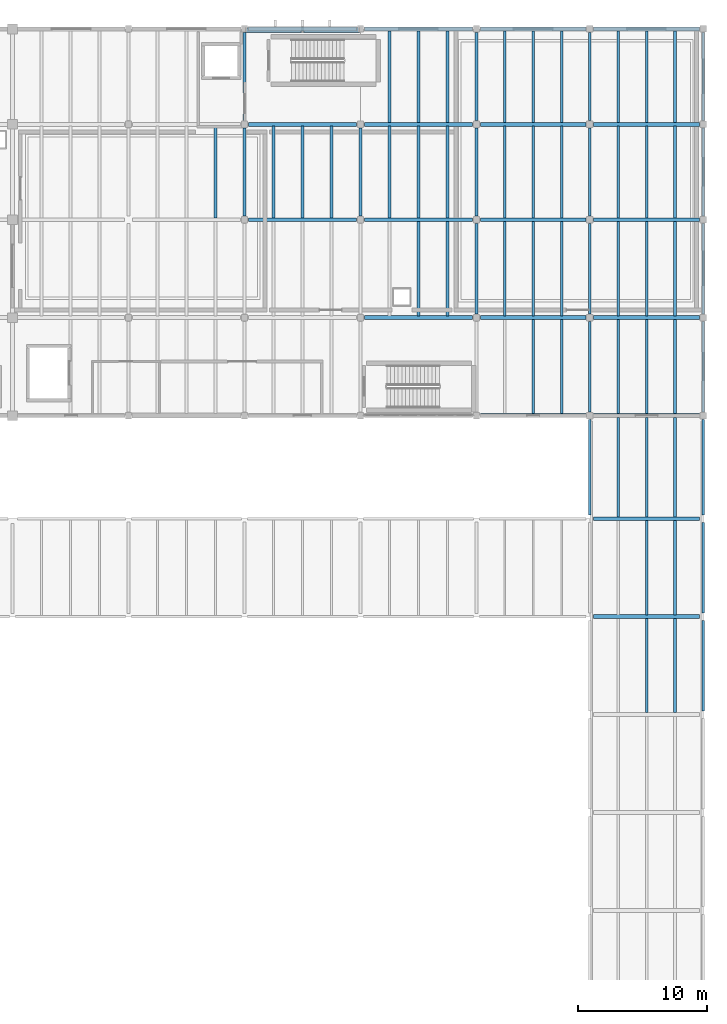
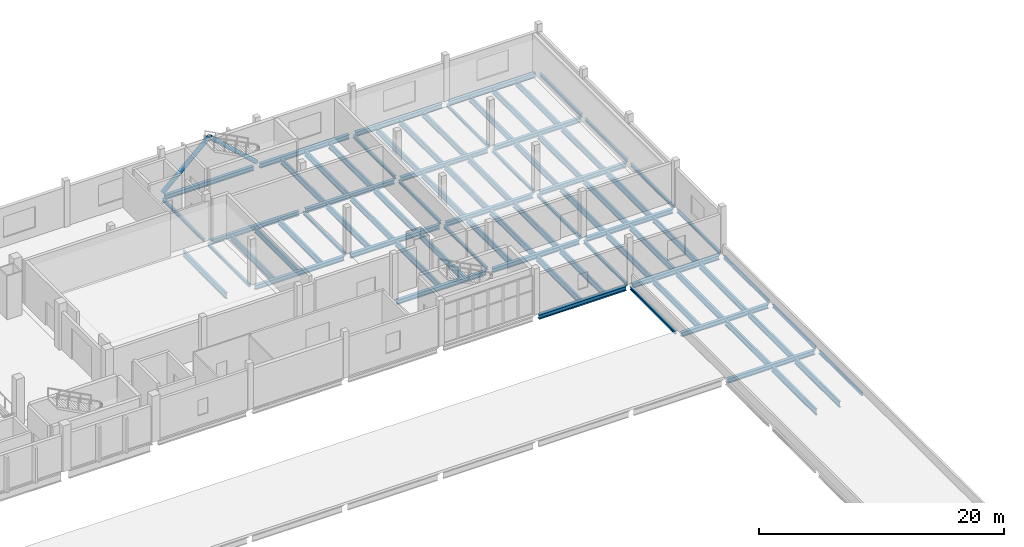
# One storey, part 45 of 74: 79 beams, 2 members.
"""IFC4 building model written with IfcOpenShell, lengths in metres."""

from ifc_helpers import new_model, si_unit, direction, frame, origin, origin_2d, place, context, subcontext, project, spatial, hollow_circle, i_section, extrude, material, material_profile, profile_set, type_object, element, save


model = new_model("IFC4")

# Units and contexts
model_context = context("Model", 3, precision=1e-05, world=origin(), true_north=direction((0.0, 1.0)))
body_context = subcontext(model_context, "Body", "Model", "MODEL_VIEW")
ifc_project = project(units=[si_unit("LENGTHUNIT", "METRE"), si_unit("AREAUNIT", "SQUARE_METRE"), si_unit("VOLUMEUNIT", "CUBIC_METRE"), si_unit("PLANEANGLEUNIT", "RADIAN"), si_unit("MASSUNIT", "GRAM", prefix="KILO")], contexts=[model_context])

# Site, building, storey
site_placement = place(None, origin())
site = spatial("IfcSite", under=ifc_project, at=site_placement, CompositionType="ELEMENT")
building_placement = place(site_placement, origin())
building = spatial("IfcBuilding", under=site, at=building_placement, Name="Shengluoqiao Park Theatre", CompositionType="ELEMENT")
storey_placement = place(building_placement, frame((0.0, 0.0, 14.60009765625)))
storey = spatial("IfcBuildingStorey", under=building, at=storey_placement, Name="L03", CompositionType="ELEMENT", Elevation=14.60009765625)

# Beams
ifc_material_1 = material(Name="Steel Q355", Category="steel")
ifc_material_profile_1 = material_profile(ifc_material_1, i_section(OverallWidth=0.199951171875, OverallDepth=0.2939453125, WebThickness=0.008056640625, FlangeThickness=0.011962890625, FilletRadius=0.01611328125, at=origin_2d()), Name="HM 294x200x8x12")
ifc_profile_set_1 = profile_set([ifc_material_profile_1], Name="Steel Q355")
beam_type_1 = type_object("IfcBeamType", Name="STR-BM-G-HM294", PredefinedType="BEAM", material=ifc_profile_set_1)
for number, where, z_axis, x_axis, name in (
    (1, (130.39990234375, 99.493896484375, -0.38720703125), (0.0, 1.0, 0.0), (-1.0, 0.0, 0.0), "L03 Transverse Girder 01393"),
    (2, (130.39990234375, 106.89404296875, -0.38720703125), (0.0, 1.0, 0.0), (-1.0, 0.0, 0.0), "L03 Transverse Girder 01394"),
    (3, (139.39990234375, 99.493896484375, -0.38720703125), (0.0, 1.0, 0.0), (-1.0, 0.0, 0.0), "L03 Transverse Girder 01397"),
):
    element("IfcBeam", number, at=place(storey_placement, frame(where, z_axis=z_axis, x_axis=x_axis)), inside=storey, type_object=beam_type_1, Name=name, PredefinedType="BEAM", context=body_context, shape_type="SweptSolid", body=[
        extrude(i_section(OverallWidth=0.199951171875, OverallDepth=0.2939453125, WebThickness=0.008056640625, FlangeThickness=0.011962890625, FilletRadius=0.01611328125, at=origin_2d()), origin(), (0.0, 0.0, 1.0), 6.81201171875),
    ])
beam_1_placement = place(storey_placement, frame((148.39990234375, 91.89404296875, -0.38720703125), z_axis=(0.0, 1.0, 0.0), x_axis=(-1.0, 0.0, 0.0)))
element("IfcBeam", 4, at=beam_1_placement, inside=storey, type_object=beam_type_1, Name="L03 Transverse Girder 01445", PredefinedType="BEAM", context=body_context, shape_type="SweptSolid", body=[
    extrude(i_section(OverallWidth=0.199951171875, OverallDepth=0.2939453125, WebThickness=0.008056640625, FlangeThickness=0.011962890625, FilletRadius=0.01611328125, at=origin_2d()), origin(), (0.0, 0.0, 1.0), 7.011962890625),
])
for number, where, z_axis, x_axis, name in (
    (5, (148.39990234375, 99.493896484375, -0.38720703125), (0.0, 1.0, 0.0), (-1.0, 0.0, 0.0), "L03 Transverse Girder 01446"),
    (6, (148.39990234375, 106.89404296875, -0.38720703125), (0.0, 1.0, 0.0), (-1.0, 0.0, 0.0), "L03 Transverse Girder 01447"),
):
    element("IfcBeam", number, at=place(storey_placement, frame(where, z_axis=z_axis, x_axis=x_axis)), inside=storey, type_object=beam_type_1, Name=name, PredefinedType="BEAM", context=body_context, shape_type="SweptSolid", body=[
        extrude(i_section(OverallWidth=0.199951171875, OverallDepth=0.2939453125, WebThickness=0.008056640625, FlangeThickness=0.011962890625, FilletRadius=0.01611328125, at=origin_2d()), origin(), (0.0, 0.0, 1.0), 6.81201171875),
    ])
for number, where, z_axis, x_axis, name in (
    (7, (157.199951171875, 84.2939453125, -0.397216796875), (0.0, 1.0, 0.0), (-1.0, 0.0, 0.0), "L03 Transverse Girder 01448"),
    (8, (157.199951171875, 91.89404296875, -0.38720703125), (0.0, 1.0, 0.0), (-1.0, 0.0, 0.0), "L03 Transverse Girder 01449"),
):
    element("IfcBeam", number, at=place(storey_placement, frame(where, z_axis=z_axis, x_axis=x_axis)), inside=storey, type_object=beam_type_1, Name=name, PredefinedType="BEAM", context=body_context, shape_type="SweptSolid", body=[
        extrude(i_section(OverallWidth=0.199951171875, OverallDepth=0.2939453125, WebThickness=0.008056640625, FlangeThickness=0.011962890625, FilletRadius=0.01611328125, at=origin_2d()), origin(), (0.0, 0.0, 1.0), 7.011962890625),
    ])
for number, where, z_axis, x_axis, name in (
    (9, (157.199951171875, 99.493896484375, -0.38720703125), (0.0, 1.0, 0.0), (-1.0, 0.0, 0.0), "L03 Transverse Girder 01450"),
    (10, (157.199951171875, 106.89404296875, -0.38720703125), (0.0, 1.0, 0.0), (-1.0, 0.0, 0.0), "L03 Transverse Girder 01451"),
):
    element("IfcBeam", number, at=place(storey_placement, frame(where, z_axis=z_axis, x_axis=x_axis)), inside=storey, type_object=beam_type_1, Name=name, PredefinedType="BEAM", context=body_context, shape_type="SweptSolid", body=[
        extrude(i_section(OverallWidth=0.199951171875, OverallDepth=0.2939453125, WebThickness=0.008056640625, FlangeThickness=0.011962890625, FilletRadius=0.01611328125, at=origin_2d()), origin(), (0.0, 0.0, 1.0), 6.81201171875),
    ])
for number, where, z_axis, x_axis, name in (
    (11, (166.0, 84.2939453125, -0.397216796875), (0.0, 1.0, 0.0), (-1.0, 0.0, 0.0), "L03 Transverse Girder 01452"),
    (12, (166.0, 91.89404296875, -0.38720703125), (0.0, 1.0, 0.0), (-1.0, 0.0, 0.0), "L03 Transverse Girder 01453"),
):
    element("IfcBeam", number, at=place(storey_placement, frame(where, z_axis=z_axis, x_axis=x_axis)), inside=storey, type_object=beam_type_1, Name=name, PredefinedType="BEAM", context=body_context, shape_type="SweptSolid", body=[
        extrude(i_section(OverallWidth=0.199951171875, OverallDepth=0.2939453125, WebThickness=0.008056640625, FlangeThickness=0.011962890625, FilletRadius=0.01611328125, at=origin_2d()), origin(), (0.0, 0.0, 1.0), 7.011962890625),
    ])
for number, where, z_axis, x_axis, name in (
    (13, (166.0, 99.493896484375, -0.38720703125), (0.0, 1.0, 0.0), (-1.0, 0.0, 0.0), "L03 Transverse Girder 01454"),
    (14, (166.0, 106.89404296875, -0.38720703125), (0.0, 1.0, 0.0), (-1.0, 0.0, 0.0), "L03 Transverse Girder 01455"),
):
    element("IfcBeam", number, at=place(storey_placement, frame(where, z_axis=z_axis, x_axis=x_axis)), inside=storey, type_object=beam_type_1, Name=name, PredefinedType="BEAM", context=body_context, shape_type="SweptSolid", body=[
        extrude(i_section(OverallWidth=0.199951171875, OverallDepth=0.2939453125, WebThickness=0.008056640625, FlangeThickness=0.011962890625, FilletRadius=0.01611328125, at=origin_2d()), origin(), (0.0, 0.0, 1.0), 6.81201171875),
    ])
beam_2_placement = place(storey_placement, frame((157.199951171875, 76.2939453125, -0.397216796875), z_axis=(0.0, 1.0, 0.0), x_axis=(-1.0, 0.0, 0.0)))
element("IfcBeam", 15, at=beam_2_placement, inside=storey, type_object=beam_type_1, Name="L03 Transverse Girder 01821", PredefinedType="BEAM", context=body_context, shape_type="SweptSolid", body=[
    extrude(i_section(OverallWidth=0.199951171875, OverallDepth=0.2939453125, WebThickness=0.008056640625, FlangeThickness=0.011962890625, FilletRadius=0.01611328125, at=origin_2d()), origin(), (0.0, 0.0, 1.0), 7.412109375),
])
for number, where, z_axis, x_axis, name in (
    (16, (166.0, 61.093994140625, -0.397216796875), (0.0, 1.0, 0.0), (-1.0, 0.0, 0.0), "L03 Transverse Girder 01827"),
    (17, (166.0, 68.694091796875, -0.397216796875), (0.0, 1.0, 0.0), (-1.0, 0.0, 0.0), "L03 Transverse Girder 01828"),
):
    element("IfcBeam", number, at=place(storey_placement, frame(where, z_axis=z_axis, x_axis=x_axis)), inside=storey, type_object=beam_type_1, Name=name, PredefinedType="BEAM", context=body_context, shape_type="SweptSolid", body=[
        extrude(i_section(OverallWidth=0.199951171875, OverallDepth=0.2939453125, WebThickness=0.008056640625, FlangeThickness=0.011962890625, FilletRadius=0.01611328125, at=origin_2d()), origin(), (0.0, 0.0, 1.0), 7.011962890625),
    ])
beam_3_placement = place(storey_placement, frame((166.0, 76.2939453125, -0.397216796875), z_axis=(0.0, 1.0, 0.0), x_axis=(-1.0, 0.0, 0.0)))
element("IfcBeam", 18, at=beam_3_placement, inside=storey, type_object=beam_type_1, Name="L03 Transverse Girder 01829", PredefinedType="BEAM", context=body_context, shape_type="SweptSolid", body=[
    extrude(i_section(OverallWidth=0.199951171875, OverallDepth=0.2939453125, WebThickness=0.008056640625, FlangeThickness=0.011962890625, FilletRadius=0.01611328125, at=origin_2d()), origin(), (0.0, 0.0, 1.0), 7.412109375),
])
ifc_material_profile_2 = material_profile(ifc_material_1, i_section(OverallWidth=0.300048828125, OverallDepth=0.43994140625, WebThickness=0.010986328125, FlangeThickness=0.01806640625, FilletRadius=0.02001953125, at=origin_2d()), Name="HM 440x300x11x18")
ifc_profile_set_2 = profile_set([ifc_material_profile_2], Name="Steel Q355")
beam_type_2 = type_object("IfcBeamType", Name="STR-BM-G-HM440", PredefinedType="BEAM", material=ifc_profile_set_2)
for number, where, z_axis, x_axis, name in (
    (19, (130.694091796875, 99.199951171875, -0.460205078125), (1.0, 0.0, 0.0), (0.0, 1.0, 0.0), "L03 Primary Girder 01380"),
    (20, (130.694091796875, 106.60009765625, -0.460205078125), (1.0, 0.0, 0.0), (0.0, 1.0, 0.0), "L03 Primary Girder 01383"),
    (21, (130.694091796875, 114.0, -0.460205078125), (1.0, 0.0, 0.0), (0.0, 1.0, 0.0), "L03 Primary Girder 01386"),
):
    element("IfcBeam", number, at=place(storey_placement, frame(where, z_axis=z_axis, x_axis=x_axis)), inside=storey, type_object=beam_type_2, Name=name, PredefinedType="BEAM", context=body_context, shape_type="SweptSolid", body=[
        extrude(i_section(OverallWidth=0.300048828125, OverallDepth=0.43994140625, WebThickness=0.010986328125, FlangeThickness=0.01806640625, FilletRadius=0.02001953125, at=origin_2d()), origin(), (0.0, 0.0, 1.0), 8.411865234375),
    ])
beam_4_placement = place(storey_placement, frame((148.694091796875, 84.0, -0.47021484375), z_axis=(1.0, 0.0, 0.0), x_axis=(0.0, 1.0, 0.0)))
element("IfcBeam", 22, at=beam_4_placement, inside=storey, type_object=beam_type_2, Name="L03 Primary Girder 01430", PredefinedType="BEAM", context=body_context, shape_type="SweptSolid", body=[
    extrude(i_section(OverallWidth=0.300048828125, OverallDepth=0.43994140625, WebThickness=0.010986328125, FlangeThickness=0.01806640625, FilletRadius=0.02001953125, at=origin_2d()), origin(), (0.0, 0.0, 1.0), 8.2119140625),
])
beam_5_placement = place(storey_placement, frame((157.493896484375, 84.0, -0.47021484375), z_axis=(1.0, 0.0, 0.0), x_axis=(0.0, 1.0, 0.0)))
element("IfcBeam", 23, at=beam_5_placement, inside=storey, type_object=beam_type_2, Name="L03 Primary Girder 01431", PredefinedType="BEAM", context=body_context, shape_type="SweptSolid", body=[
    extrude(i_section(OverallWidth=0.300048828125, OverallDepth=0.43994140625, WebThickness=0.010986328125, FlangeThickness=0.01806640625, FilletRadius=0.02001953125, at=origin_2d()), origin(), (0.0, 0.0, 1.0), 8.212158203125),
])
beam_6_placement = place(storey_placement, frame((139.694091796875, 91.60009765625, -0.460205078125), z_axis=(1.0, 0.0, 0.0), x_axis=(0.0, 1.0, 0.0)))
element("IfcBeam", 24, at=beam_6_placement, inside=storey, type_object=beam_type_2, Name="L03 Primary Girder 01432", PredefinedType="BEAM", context=body_context, shape_type="SweptSolid", body=[
    extrude(i_section(OverallWidth=0.300048828125, OverallDepth=0.43994140625, WebThickness=0.010986328125, FlangeThickness=0.01806640625, FilletRadius=0.02001953125, at=origin_2d()), origin(), (0.0, 0.0, 1.0), 8.411865234375),
])
beam_7_placement = place(storey_placement, frame((148.694091796875, 91.60009765625, -0.460205078125), z_axis=(1.0, 0.0, 0.0), x_axis=(0.0, 1.0, 0.0)))
element("IfcBeam", 25, at=beam_7_placement, inside=storey, type_object=beam_type_2, Name="L03 Primary Girder 01433", PredefinedType="BEAM", context=body_context, shape_type="SweptSolid", body=[
    extrude(i_section(OverallWidth=0.300048828125, OverallDepth=0.43994140625, WebThickness=0.010986328125, FlangeThickness=0.01806640625, FilletRadius=0.02001953125, at=origin_2d()), origin(), (0.0, 0.0, 1.0), 8.2119140625),
])
beam_8_placement = place(storey_placement, frame((157.493896484375, 91.60009765625, -0.460205078125), z_axis=(1.0, 0.0, 0.0), x_axis=(0.0, 1.0, 0.0)))
element("IfcBeam", 26, at=beam_8_placement, inside=storey, type_object=beam_type_2, Name="L03 Primary Girder 01434", PredefinedType="BEAM", context=body_context, shape_type="SweptSolid", body=[
    extrude(i_section(OverallWidth=0.300048828125, OverallDepth=0.43994140625, WebThickness=0.010986328125, FlangeThickness=0.01806640625, FilletRadius=0.02001953125, at=origin_2d()), origin(), (0.0, 0.0, 1.0), 8.212158203125),
])
beam_9_placement = place(storey_placement, frame((139.694091796875, 99.199951171875, -0.460205078125), z_axis=(1.0, 0.0, 0.0), x_axis=(0.0, 1.0, 0.0)))
element("IfcBeam", 27, at=beam_9_placement, inside=storey, type_object=beam_type_2, Name="L03 Primary Girder 01435", PredefinedType="BEAM", context=body_context, shape_type="SweptSolid", body=[
    extrude(i_section(OverallWidth=0.300048828125, OverallDepth=0.43994140625, WebThickness=0.010986328125, FlangeThickness=0.01806640625, FilletRadius=0.02001953125, at=origin_2d()), origin(), (0.0, 0.0, 1.0), 8.411865234375),
])
beam_10_placement = place(storey_placement, frame((148.694091796875, 99.199951171875, -0.460205078125), z_axis=(1.0, 0.0, 0.0), x_axis=(0.0, 1.0, 0.0)))
element("IfcBeam", 28, at=beam_10_placement, inside=storey, type_object=beam_type_2, Name="L03 Primary Girder 01436", PredefinedType="BEAM", context=body_context, shape_type="SweptSolid", body=[
    extrude(i_section(OverallWidth=0.300048828125, OverallDepth=0.43994140625, WebThickness=0.010986328125, FlangeThickness=0.01806640625, FilletRadius=0.02001953125, at=origin_2d()), origin(), (0.0, 0.0, 1.0), 8.2119140625),
])
beam_11_placement = place(storey_placement, frame((157.493896484375, 99.199951171875, -0.460205078125), z_axis=(1.0, 0.0, 0.0), x_axis=(0.0, 1.0, 0.0)))
element("IfcBeam", 29, at=beam_11_placement, inside=storey, type_object=beam_type_2, Name="L03 Primary Girder 01437", PredefinedType="BEAM", context=body_context, shape_type="SweptSolid", body=[
    extrude(i_section(OverallWidth=0.300048828125, OverallDepth=0.43994140625, WebThickness=0.010986328125, FlangeThickness=0.01806640625, FilletRadius=0.02001953125, at=origin_2d()), origin(), (0.0, 0.0, 1.0), 8.212158203125),
])
beam_12_placement = place(storey_placement, frame((139.694091796875, 106.60009765625, -0.460205078125), z_axis=(1.0, 0.0, 0.0), x_axis=(0.0, 1.0, 0.0)))
element("IfcBeam", 30, at=beam_12_placement, inside=storey, type_object=beam_type_2, Name="L03 Primary Girder 01438", PredefinedType="BEAM", context=body_context, shape_type="SweptSolid", body=[
    extrude(i_section(OverallWidth=0.300048828125, OverallDepth=0.43994140625, WebThickness=0.010986328125, FlangeThickness=0.01806640625, FilletRadius=0.02001953125, at=origin_2d()), origin(), (0.0, 0.0, 1.0), 8.411865234375),
])
beam_13_placement = place(storey_placement, frame((148.694091796875, 106.60009765625, -0.460205078125), z_axis=(1.0, 0.0, 0.0), x_axis=(0.0, 1.0, 0.0)))
element("IfcBeam", 31, at=beam_13_placement, inside=storey, type_object=beam_type_2, Name="L03 Primary Girder 01439", PredefinedType="BEAM", context=body_context, shape_type="SweptSolid", body=[
    extrude(i_section(OverallWidth=0.300048828125, OverallDepth=0.43994140625, WebThickness=0.010986328125, FlangeThickness=0.01806640625, FilletRadius=0.02001953125, at=origin_2d()), origin(), (0.0, 0.0, 1.0), 8.2119140625),
])
beam_14_placement = place(storey_placement, frame((157.493896484375, 106.60009765625, -0.460205078125), z_axis=(1.0, 0.0, 0.0), x_axis=(0.0, 1.0, 0.0)))
element("IfcBeam", 32, at=beam_14_placement, inside=storey, type_object=beam_type_2, Name="L03 Primary Girder 01440", PredefinedType="BEAM", context=body_context, shape_type="SweptSolid", body=[
    extrude(i_section(OverallWidth=0.300048828125, OverallDepth=0.43994140625, WebThickness=0.010986328125, FlangeThickness=0.01806640625, FilletRadius=0.02001953125, at=origin_2d()), origin(), (0.0, 0.0, 1.0), 8.212158203125),
])
beam_15_placement = place(storey_placement, frame((139.694091796875, 114.0, -0.460205078125), z_axis=(1.0, 0.0, 0.0), x_axis=(0.0, 1.0, 0.0)))
element("IfcBeam", 33, at=beam_15_placement, inside=storey, type_object=beam_type_2, Name="L03 Primary Girder 01441", PredefinedType="BEAM", context=body_context, shape_type="SweptSolid", body=[
    extrude(i_section(OverallWidth=0.300048828125, OverallDepth=0.43994140625, WebThickness=0.010986328125, FlangeThickness=0.01806640625, FilletRadius=0.02001953125, at=origin_2d()), origin(), (0.0, 0.0, 1.0), 8.411865234375),
])
beam_16_placement = place(storey_placement, frame((148.694091796875, 114.0, -0.460205078125), z_axis=(1.0, 0.0, 0.0), x_axis=(0.0, 1.0, 0.0)))
element("IfcBeam", 34, at=beam_16_placement, inside=storey, type_object=beam_type_2, Name="L03 Primary Girder 01442", PredefinedType="BEAM", context=body_context, shape_type="SweptSolid", body=[
    extrude(i_section(OverallWidth=0.300048828125, OverallDepth=0.43994140625, WebThickness=0.010986328125, FlangeThickness=0.01806640625, FilletRadius=0.02001953125, at=origin_2d()), origin(), (0.0, 0.0, 1.0), 8.2119140625),
])
for number, where, z_axis, x_axis, name in (
    (35, (157.493896484375, 114.0, -0.460205078125), (1.0, 0.0, 0.0), (0.0, 1.0, 0.0), "L03 Primary Girder 01443"),
    (36, (157.493896484375, 68.39990234375, -0.47021484375), (1.0, 0.0, 0.0), (0.0, 1.0, 0.0), "L03 Primary Girder 01812"),
    (37, (157.493896484375, 76.0, -0.47021484375), (1.0, 0.0, 0.0), (0.0, 1.0, 0.0), "L03 Primary Girder 01813"),
):
    element("IfcBeam", number, at=place(storey_placement, frame(where, z_axis=z_axis, x_axis=x_axis)), inside=storey, type_object=beam_type_2, Name=name, PredefinedType="BEAM", context=body_context, shape_type="SweptSolid", body=[
        extrude(i_section(OverallWidth=0.300048828125, OverallDepth=0.43994140625, WebThickness=0.010986328125, FlangeThickness=0.01806640625, FilletRadius=0.02001953125, at=origin_2d()), origin(), (0.0, 0.0, 1.0), 8.212158203125),
    ])
ifc_material_profile_3 = material_profile(ifc_material_1, i_section(OverallWidth=0.199951171875, OverallDepth=0.60009765625, WebThickness=0.010986328125, FlangeThickness=0.01708984375, FilletRadius=0.02001953125, at=origin_2d()), Name="HN 600x200x11x17")
ifc_profile_set_3 = profile_set([ifc_material_profile_3], Name="Steel Q355")
beam_type_3 = type_object("IfcBeamType", Name="STR-BM-J-HN600", PredefinedType="JOIST", material=ifc_profile_set_3)
for number, where, z_axis, x_axis, name in (
    (38, (128.14990234375, 99.344970703125, -0.5400390625), (0.0, 1.0, 0.0), (-1.0, 0.0, 0.0), "L03 Composite Joist 01417"),
    (39, (132.64990234375, 99.344970703125, -0.5400390625), (0.0, 1.0, 0.0), (-1.0, 0.0, 0.0), "L03 Composite Joist 01426"),
    (40, (134.89990234375, 99.344970703125, -0.5400390625), (0.0, 1.0, 0.0), (-1.0, 0.0, 0.0), "L03 Composite Joist 01427"),
    (41, (137.14990234375, 99.344970703125, -0.5400390625), (0.0, 1.0, 0.0), (-1.0, 0.0, 0.0), "L03 Composite Joist 01428"),
):
    element("IfcBeam", number, at=place(storey_placement, frame(where, z_axis=z_axis, x_axis=x_axis)), inside=storey, type_object=beam_type_3, Name=name, PredefinedType="JOIST", context=body_context, shape_type="SweptSolid", body=[
        extrude(i_section(OverallWidth=0.199951171875, OverallDepth=0.60009765625, WebThickness=0.010986328125, FlangeThickness=0.01708984375, FilletRadius=0.02001953125, at=origin_2d()), origin(), (0.0, 0.0, 1.0), 7.110107421875),
    ])
for number, where, z_axis, x_axis, name in (
    (42, (143.89990234375, 91.7451171875, -0.5400390625), (0.0, 1.0, 0.0), (-1.0, 0.0, 0.0), "L03 Composite Joist 01457"),
    (43, (146.14990234375, 91.7451171875, -0.5400390625), (0.0, 1.0, 0.0), (-1.0, 0.0, 0.0), "L03 Composite Joist 01458"),
):
    element("IfcBeam", number, at=place(storey_placement, frame(where, z_axis=z_axis, x_axis=x_axis)), inside=storey, type_object=beam_type_3, Name=name, PredefinedType="JOIST", context=body_context, shape_type="SweptSolid", body=[
        extrude(i_section(OverallWidth=0.199951171875, OverallDepth=0.60009765625, WebThickness=0.010986328125, FlangeThickness=0.01708984375, FilletRadius=0.02001953125, at=origin_2d()), origin(), (0.0, 0.0, 1.0), 7.309814453125),
    ])
for number, where, z_axis, x_axis, name in (
    (44, (141.64990234375, 99.344970703125, -0.5400390625), (0.0, 1.0, 0.0), (-1.0, 0.0, 0.0), "L03 Composite Joist 01459"),
    (45, (143.89990234375, 99.344970703125, -0.5400390625), (0.0, 1.0, 0.0), (-1.0, 0.0, 0.0), "L03 Composite Joist 01460"),
    (46, (146.14990234375, 99.344970703125, -0.5400390625), (0.0, 1.0, 0.0), (-1.0, 0.0, 0.0), "L03 Composite Joist 01461"),
):
    element("IfcBeam", number, at=place(storey_placement, frame(where, z_axis=z_axis, x_axis=x_axis)), inside=storey, type_object=beam_type_3, Name=name, PredefinedType="JOIST", context=body_context, shape_type="SweptSolid", body=[
        extrude(i_section(OverallWidth=0.199951171875, OverallDepth=0.60009765625, WebThickness=0.010986328125, FlangeThickness=0.01708984375, FilletRadius=0.02001953125, at=origin_2d()), origin(), (0.0, 0.0, 1.0), 7.110107421875),
    ])
for number, where, z_axis, x_axis, name in (
    (47, (141.64990234375, 106.7451171875, -0.5400390625), (0.0, 1.0, 0.0), (-1.0, 0.0, 0.0), "L03 Composite Joist 01462"),
    (48, (143.89990234375, 106.7451171875, -0.5400390625), (0.0, 1.0, 0.0), (-1.0, 0.0, 0.0), "L03 Composite Joist 01463"),
    (49, (146.14990234375, 106.7451171875, -0.5400390625), (0.0, 1.0, 0.0), (-1.0, 0.0, 0.0), "L03 Composite Joist 01464"),
):
    element("IfcBeam", number, at=place(storey_placement, frame(where, z_axis=z_axis, x_axis=x_axis)), inside=storey, type_object=beam_type_3, Name=name, PredefinedType="JOIST", context=body_context, shape_type="SweptSolid", body=[
        extrude(i_section(OverallWidth=0.199951171875, OverallDepth=0.60009765625, WebThickness=0.010986328125, FlangeThickness=0.01708984375, FilletRadius=0.02001953125, at=origin_2d()), origin(), (0.0, 0.0, 1.0), 7.10986328125),
    ])
for number, where, z_axis, x_axis, name in (
    (50, (152.800048828125, 84.14501953125, -0.5400390625), (0.0, 1.0, 0.0), (-1.0, 0.0, 0.0), "L03 Composite Joist 01466"),
    (51, (155.0, 84.14501953125, -0.5400390625), (0.0, 1.0, 0.0), (-1.0, 0.0, 0.0), "L03 Composite Joist 01467"),
):
    element("IfcBeam", number, at=place(storey_placement, frame(where, z_axis=z_axis, x_axis=x_axis)), inside=storey, type_object=beam_type_3, Name=name, PredefinedType="JOIST", context=body_context, shape_type="SweptSolid", body=[
        extrude(i_section(OverallWidth=0.199951171875, OverallDepth=0.60009765625, WebThickness=0.010986328125, FlangeThickness=0.01708984375, FilletRadius=0.02001953125, at=origin_2d()), origin(), (0.0, 0.0, 1.0), 7.31005859375),
    ])
for number, where, z_axis, x_axis, name in (
    (52, (150.60009765625, 91.7451171875, -0.5400390625), (0.0, 1.0, 0.0), (-1.0, 0.0, 0.0), "L03 Composite Joist 01468"),
    (53, (152.800048828125, 91.7451171875, -0.5400390625), (0.0, 1.0, 0.0), (-1.0, 0.0, 0.0), "L03 Composite Joist 01469"),
    (54, (155.0, 91.7451171875, -0.5400390625), (0.0, 1.0, 0.0), (-1.0, 0.0, 0.0), "L03 Composite Joist 01470"),
):
    element("IfcBeam", number, at=place(storey_placement, frame(where, z_axis=z_axis, x_axis=x_axis)), inside=storey, type_object=beam_type_3, Name=name, PredefinedType="JOIST", context=body_context, shape_type="SweptSolid", body=[
        extrude(i_section(OverallWidth=0.199951171875, OverallDepth=0.60009765625, WebThickness=0.010986328125, FlangeThickness=0.01708984375, FilletRadius=0.02001953125, at=origin_2d()), origin(), (0.0, 0.0, 1.0), 7.309814453125),
    ])
for number, where, z_axis, x_axis, name in (
    (55, (150.60009765625, 99.344970703125, -0.5400390625), (0.0, 1.0, 0.0), (-1.0, 0.0, 0.0), "L03 Composite Joist 01471"),
    (56, (152.800048828125, 99.344970703125, -0.5400390625), (0.0, 1.0, 0.0), (-1.0, 0.0, 0.0), "L03 Composite Joist 01472"),
    (57, (155.0, 99.344970703125, -0.5400390625), (0.0, 1.0, 0.0), (-1.0, 0.0, 0.0), "L03 Composite Joist 01473"),
):
    element("IfcBeam", number, at=place(storey_placement, frame(where, z_axis=z_axis, x_axis=x_axis)), inside=storey, type_object=beam_type_3, Name=name, PredefinedType="JOIST", context=body_context, shape_type="SweptSolid", body=[
        extrude(i_section(OverallWidth=0.199951171875, OverallDepth=0.60009765625, WebThickness=0.010986328125, FlangeThickness=0.01708984375, FilletRadius=0.02001953125, at=origin_2d()), origin(), (0.0, 0.0, 1.0), 7.110107421875),
    ])
for number, where, z_axis, x_axis, name in (
    (58, (150.60009765625, 106.7451171875, -0.5400390625), (0.0, 1.0, 0.0), (-1.0, 0.0, 0.0), "L03 Composite Joist 01474"),
    (59, (152.800048828125, 106.7451171875, -0.5400390625), (0.0, 1.0, 0.0), (-1.0, 0.0, 0.0), "L03 Composite Joist 01475"),
    (60, (155.0, 106.7451171875, -0.5400390625), (0.0, 1.0, 0.0), (-1.0, 0.0, 0.0), "L03 Composite Joist 01476"),
):
    element("IfcBeam", number, at=place(storey_placement, frame(where, z_axis=z_axis, x_axis=x_axis)), inside=storey, type_object=beam_type_3, Name=name, PredefinedType="JOIST", context=body_context, shape_type="SweptSolid", body=[
        extrude(i_section(OverallWidth=0.199951171875, OverallDepth=0.60009765625, WebThickness=0.010986328125, FlangeThickness=0.01708984375, FilletRadius=0.02001953125, at=origin_2d()), origin(), (0.0, 0.0, 1.0), 7.10986328125),
    ])
for number, where, z_axis, x_axis, name in (
    (61, (159.39990234375, 84.14501953125, -0.5400390625), (0.0, 1.0, 0.0), (-1.0, 0.0, 0.0), "L03 Composite Joist 01477"),
    (62, (161.60009765625, 84.14501953125, -0.5400390625), (0.0, 1.0, 0.0), (-1.0, 0.0, 0.0), "L03 Composite Joist 01478"),
    (63, (163.800048828125, 84.14501953125, -0.5400390625), (0.0, 1.0, 0.0), (-1.0, 0.0, 0.0), "L03 Composite Joist 01479"),
):
    element("IfcBeam", number, at=place(storey_placement, frame(where, z_axis=z_axis, x_axis=x_axis)), inside=storey, type_object=beam_type_3, Name=name, PredefinedType="JOIST", context=body_context, shape_type="SweptSolid", body=[
        extrude(i_section(OverallWidth=0.199951171875, OverallDepth=0.60009765625, WebThickness=0.010986328125, FlangeThickness=0.01708984375, FilletRadius=0.02001953125, at=origin_2d()), origin(), (0.0, 0.0, 1.0), 7.31005859375),
    ])
for number, where, z_axis, x_axis, name in (
    (64, (159.39990234375, 91.7451171875, -0.5400390625), (0.0, 1.0, 0.0), (-1.0, 0.0, 0.0), "L03 Composite Joist 01480"),
    (65, (161.60009765625, 91.7451171875, -0.5400390625), (0.0, 1.0, 0.0), (-1.0, 0.0, 0.0), "L03 Composite Joist 01481"),
    (66, (163.800048828125, 91.7451171875, -0.5400390625), (0.0, 1.0, 0.0), (-1.0, 0.0, 0.0), "L03 Composite Joist 01482"),
):
    element("IfcBeam", number, at=place(storey_placement, frame(where, z_axis=z_axis, x_axis=x_axis)), inside=storey, type_object=beam_type_3, Name=name, PredefinedType="JOIST", context=body_context, shape_type="SweptSolid", body=[
        extrude(i_section(OverallWidth=0.199951171875, OverallDepth=0.60009765625, WebThickness=0.010986328125, FlangeThickness=0.01708984375, FilletRadius=0.02001953125, at=origin_2d()), origin(), (0.0, 0.0, 1.0), 7.309814453125),
    ])
for number, where, z_axis, x_axis, name in (
    (67, (159.39990234375, 99.344970703125, -0.5400390625), (0.0, 1.0, 0.0), (-1.0, 0.0, 0.0), "L03 Composite Joist 01483"),
    (68, (161.60009765625, 99.344970703125, -0.5400390625), (0.0, 1.0, 0.0), (-1.0, 0.0, 0.0), "L03 Composite Joist 01484"),
    (69, (163.800048828125, 99.344970703125, -0.5400390625), (0.0, 1.0, 0.0), (-1.0, 0.0, 0.0), "L03 Composite Joist 01485"),
):
    element("IfcBeam", number, at=place(storey_placement, frame(where, z_axis=z_axis, x_axis=x_axis)), inside=storey, type_object=beam_type_3, Name=name, PredefinedType="JOIST", context=body_context, shape_type="SweptSolid", body=[
        extrude(i_section(OverallWidth=0.199951171875, OverallDepth=0.60009765625, WebThickness=0.010986328125, FlangeThickness=0.01708984375, FilletRadius=0.02001953125, at=origin_2d()), origin(), (0.0, 0.0, 1.0), 7.110107421875),
    ])
for number, where, z_axis, x_axis, name in (
    (70, (159.39990234375, 106.7451171875, -0.5400390625), (0.0, 1.0, 0.0), (-1.0, 0.0, 0.0), "L03 Composite Joist 01486"),
    (71, (161.60009765625, 106.7451171875, -0.5400390625), (0.0, 1.0, 0.0), (-1.0, 0.0, 0.0), "L03 Composite Joist 01487"),
    (72, (163.800048828125, 106.7451171875, -0.5400390625), (0.0, 1.0, 0.0), (-1.0, 0.0, 0.0), "L03 Composite Joist 01488"),
):
    element("IfcBeam", number, at=place(storey_placement, frame(where, z_axis=z_axis, x_axis=x_axis)), inside=storey, type_object=beam_type_3, Name=name, PredefinedType="JOIST", context=body_context, shape_type="SweptSolid", body=[
        extrude(i_section(OverallWidth=0.199951171875, OverallDepth=0.60009765625, WebThickness=0.010986328125, FlangeThickness=0.01708984375, FilletRadius=0.02001953125, at=origin_2d()), origin(), (0.0, 0.0, 1.0), 7.10986328125),
    ])
for number, where, z_axis, x_axis, name in (
    (73, (161.60009765625, 60.945068359375, -0.550048828125), (0.0, 1.0, 0.0), (-1.0, 0.0, 0.0), "L03 Composite Joist 01846"),
    (74, (163.800048828125, 60.945068359375, -0.550048828125), (0.0, 1.0, 0.0), (-1.0, 0.0, 0.0), "L03 Composite Joist 01847"),
):
    element("IfcBeam", number, at=place(storey_placement, frame(where, z_axis=z_axis, x_axis=x_axis)), inside=storey, type_object=beam_type_3, Name=name, PredefinedType="JOIST", context=body_context, shape_type="SweptSolid", body=[
        extrude(i_section(OverallWidth=0.199951171875, OverallDepth=0.60009765625, WebThickness=0.010986328125, FlangeThickness=0.01708984375, FilletRadius=0.02001953125, at=origin_2d()), origin(), (0.0, 0.0, 1.0), 7.309814453125),
    ])
for number, where, z_axis, x_axis, name in (
    (75, (161.60009765625, 68.544921875, -0.550048828125), (0.0, 1.0, 0.0), (-1.0, 0.0, 0.0), "L03 Composite Joist 01849"),
    (76, (163.800048828125, 68.544921875, -0.550048828125), (0.0, 1.0, 0.0), (-1.0, 0.0, 0.0), "L03 Composite Joist 01850"),
):
    element("IfcBeam", number, at=place(storey_placement, frame(where, z_axis=z_axis, x_axis=x_axis)), inside=storey, type_object=beam_type_3, Name=name, PredefinedType="JOIST", context=body_context, shape_type="SweptSolid", body=[
        extrude(i_section(OverallWidth=0.199951171875, OverallDepth=0.60009765625, WebThickness=0.010986328125, FlangeThickness=0.01708984375, FilletRadius=0.02001953125, at=origin_2d()), origin(), (0.0, 0.0, 1.0), 7.31005859375),
    ])
for number, where, z_axis, x_axis, name in (
    (77, (159.39990234375, 76.14501953125, -0.550048828125), (0.0, 1.0, 0.0), (-1.0, 0.0, 0.0), "L03 Composite Joist 01851"),
    (78, (161.60009765625, 76.14501953125, -0.550048828125), (0.0, 1.0, 0.0), (-1.0, 0.0, 0.0), "L03 Composite Joist 01852"),
    (79, (163.800048828125, 76.14501953125, -0.550048828125), (0.0, 1.0, 0.0), (-1.0, 0.0, 0.0), "L03 Composite Joist 01853"),
):
    element("IfcBeam", number, at=place(storey_placement, frame(where, z_axis=z_axis, x_axis=x_axis)), inside=storey, type_object=beam_type_3, Name=name, PredefinedType="JOIST", context=body_context, shape_type="SweptSolid", body=[
        extrude(i_section(OverallWidth=0.199951171875, OverallDepth=0.60009765625, WebThickness=0.010986328125, FlangeThickness=0.01708984375, FilletRadius=0.02001953125, at=origin_2d()), origin(), (0.0, 0.0, 1.0), 7.7099609375),
    ])

# Members
ifc_material_2 = material(Name="Steel Q390", Category="steel")
ifc_material_profile_4 = material_profile(ifc_material_2, hollow_circle(Radius=0.202880859375, WallThickness=0.01611328125, at=origin_2d()), Name="CHS 406x16")
ifc_profile_set_4 = profile_set([ifc_material_profile_4], Name="Steel Q390")
member_type = type_object("IfcMemberType", Name="STR-MEM-BRC-406", PredefinedType="BRACE", material=ifc_profile_set_4)
for number, where, z_axis, x_axis, name in (
    (80, (130.489990234375, 113.919921875, 0.102294921875), (0.735835523568, 0.0, 0.677160307649), (0.0, 1.0, 0.0), "L03 Chevron Brace 0019"),
    (81, (139.31005859375, 113.919921875, 0.102294921875), (-0.735835523568, 0.0, 0.677160307649), (0.0, -1.0, 0.0), "L03 Chevron Brace 0020"),
):
    element("IfcMember", number, at=place(storey_placement, frame(where, z_axis=z_axis, x_axis=x_axis)), inside=storey, type_object=member_type, Name=name, PredefinedType="BRACE", context=body_context, shape_type="SweptSolid", body=[
        extrude(hollow_circle(Radius=0.202880859375, WallThickness=0.01611328125, at=origin_2d()), origin(), (0.0, 0.0, 1.0), 5.962646484375),
    ])

save(model, "model.ifc")
